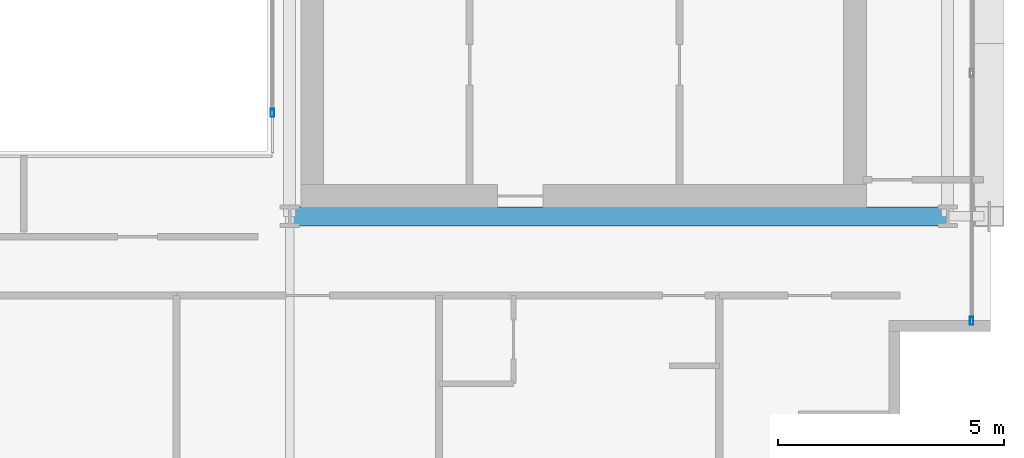
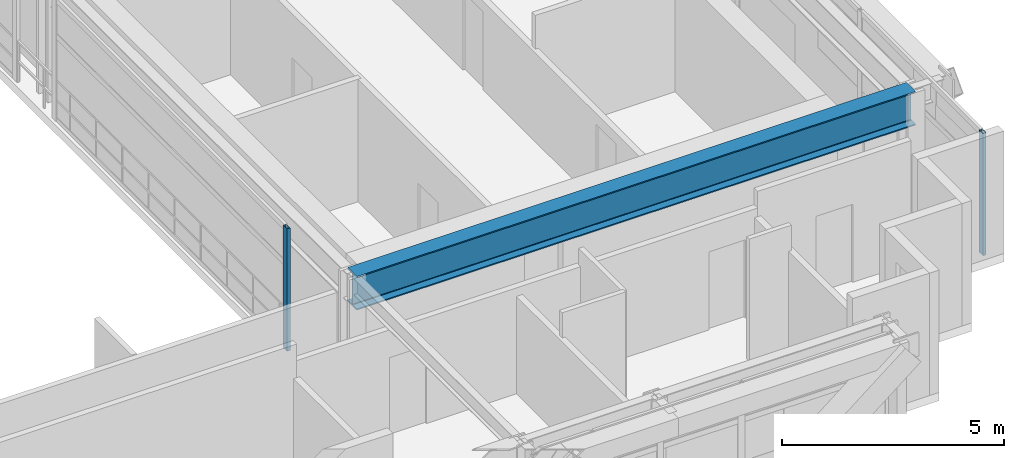
# One storey, part 13 of 37: 2 members, 1 beam, 2 elements without a shape of their own.
"""IFC4 building model written with IfcOpenShell, lengths in metres."""

from ifc_helpers import new_model, si_unit, direction, frame, origin, origin_2d, place, context, subcontext, project, spatial, hollow_rectangle, i_section, extrude, source, transform, mapped, material, layer, layer_set, material_profile, profile_set, type_object, element, aggregate, save


model = new_model("IFC4")

# Units and contexts
model_context = context("Model", 3, precision=1e-05, world=origin(), true_north=direction((0.0, 1.0)))
body_context = subcontext(model_context, "Body", "Model", "MODEL_VIEW")
ifc_project = project(units=[si_unit("LENGTHUNIT", "METRE"), si_unit("AREAUNIT", "SQUARE_METRE"), si_unit("VOLUMEUNIT", "CUBIC_METRE"), si_unit("PLANEANGLEUNIT", "RADIAN"), si_unit("MASSUNIT", "GRAM", prefix="KILO")], contexts=[model_context])

# Site, building, storey
site_placement = place(None, origin())
site = spatial("IfcSite", under=ifc_project, at=site_placement, CompositionType="ELEMENT")
building_placement = place(site_placement, origin())
building = spatial("IfcBuilding", under=site, at=building_placement, Name="Ocotamira Hotel", CompositionType="ELEMENT")
storey_placement = place(building_placement, frame((0.0, 0.0, 192.0)))
storey = spatial("IfcBuildingStorey", under=building, at=storey_placement, Name="L48", CompositionType="ELEMENT", Elevation=192.0)

# Beam
ifc_material_1 = material(Name="Steel ASTM A992 Grade 50", Category="steel")
ifc_material_profile_1 = material_profile(ifc_material_1, i_section(OverallWidth=0.41796875, OverallDepth=0.927001953125, WebThickness=0.019287109375, FlangeThickness=0.031982421875, FilletRadius=0.02392578125, at=origin_2d()), Name="W36X231")
ifc_profile_set_1 = profile_set([ifc_material_profile_1], Name="Steel ASTM A992 Grade 50")
beam_type = type_object("IfcBeamType", Name="BM-GIRD-W36X231", PredefinedType="BEAM", material=ifc_profile_set_1)
shared_shape_1 = source(origin(), body_context, "Body", "SweptSolid", [
    extrude(i_section(OverallWidth=0.41796875, OverallDepth=0.927001953125, WebThickness=0.019287109375, FlangeThickness=0.031982421875, FilletRadius=0.02392578125, at=origin_2d()), origin(), (0.0, 0.0, 1.0), 14.550048828125),
])
beam_placement = place(storey_placement, frame((40.5, 14.550048828125, 2.906494140625), z_axis=(1.0, 0.0, 0.0), x_axis=(0.0, 1.0, 0.0)))
element("IfcBeam", 1, at=beam_placement, inside=storey, type_object=beam_type, Name="L48 Girder Y14.55 X40.5-55.05", PredefinedType="BEAM", context=body_context, shape_type="MappedRepresentation", body=[
    mapped(shared_shape_1, transform((0.0, 0.0, 0.0), scale=1.0)),
])

# Curtain wall, member
ifc_material_2 = material(Name="Anodised pale-metal aluminium and solar glass", Category="aluminium")
ifc_layer_1 = layer(ifc_material_2, 0.199951171875)
ifc_layer_set_1 = layer_set([ifc_layer_1], Name="Anodised pale-metal aluminium and solar glass")
curtain_wall_type_1 = type_object("IfcCurtainWallType", Name="CW-SYS4-Z3", PredefinedType="NOTDEFINED", material=ifc_layer_set_1)
curtain_wall_1_placement = place(storey_placement, origin())
curtain_wall_1 = element("IfcCurtainWall", 2, at=curtain_wall_1_placement, inside=storey, type_object=curtain_wall_type_1, Name="L48 Curtain Wall CW-4 CW-L48-E", PredefinedType="NOTDEFINED")
ifc_material_3 = material(Name="Anodised pale-metal aluminium 6063-T6", Category="aluminium")
ifc_material_profile_2 = material_profile(ifc_material_3, hollow_rectangle(XDim=0.080078125, YDim=0.179931640625, WallThickness=0.006103515625, at=origin_2d()), Name="HSS180X80X6")
ifc_profile_set_2 = profile_set([ifc_material_profile_2], Name="Anodised pale-metal aluminium 6063-T6")
member_type = type_object("IfcMemberType", Name="CWM-180X75", PredefinedType="MULLION", material=ifc_profile_set_2)
shared_shape_2 = source(origin(), body_context, "Body", "SweptSolid", [
    extrude(hollow_rectangle(XDim=0.080078125, YDim=0.179931640625, WallThickness=0.006103515625, at=origin_2d()), origin(), (0.0, 0.0, 1.0), 3.3701171875),
])
member_1_placement = place(storey_placement, frame((55.580078125, 12.239990234375, 0.0), z_axis=(0.0, 0.0, 1.0), x_axis=(-1.0, 0.0, 0.0)))
member_1 = element("IfcMember", 3, at=member_1_placement, type_object=member_type, Name="CW-4 mullion 1", PredefinedType="MULLION", context=body_context, shape_type="MappedRepresentation", body=[
    mapped(shared_shape_2, transform((0.0, 0.0, 0.0), scale=1.0)),
])
aggregate(curtain_wall_1, [member_1])

ifc_layer_2 = layer(ifc_material_2, 0.159912109375)
ifc_layer_set_2 = layer_set([ifc_layer_2], Name="Anodised pale-metal aluminium and solar glass")
curtain_wall_type_2 = type_object("IfcCurtainWallType", Name="CW-SYS6-ATR", PredefinedType="NOTDEFINED", material=ifc_layer_set_2)
curtain_wall_2_placement = place(storey_placement, origin())
curtain_wall_2 = element("IfcCurtainWall", 4, at=curtain_wall_2_placement, inside=storey, type_object=curtain_wall_type_2, Name="L48 Curtain Wall CW-6 CW-L48-ATRE1", PredefinedType="NOTDEFINED")
member_2_placement = place(storey_placement, frame((40.1201171875, 16.840087890625, 0.0), z_axis=(0.0, 0.0, 1.0), x_axis=(-1.0, 0.0, 0.0)))
member_2 = element("IfcMember", 5, at=member_2_placement, type_object=member_type, Name="CW-6 mullion 1", PredefinedType="MULLION", context=body_context, shape_type="MappedRepresentation", body=[
    mapped(shared_shape_2, transform((0.0, 0.0, 0.0), scale=1.0)),
])
aggregate(curtain_wall_2, [member_2])

save(model, "model.ifc")
